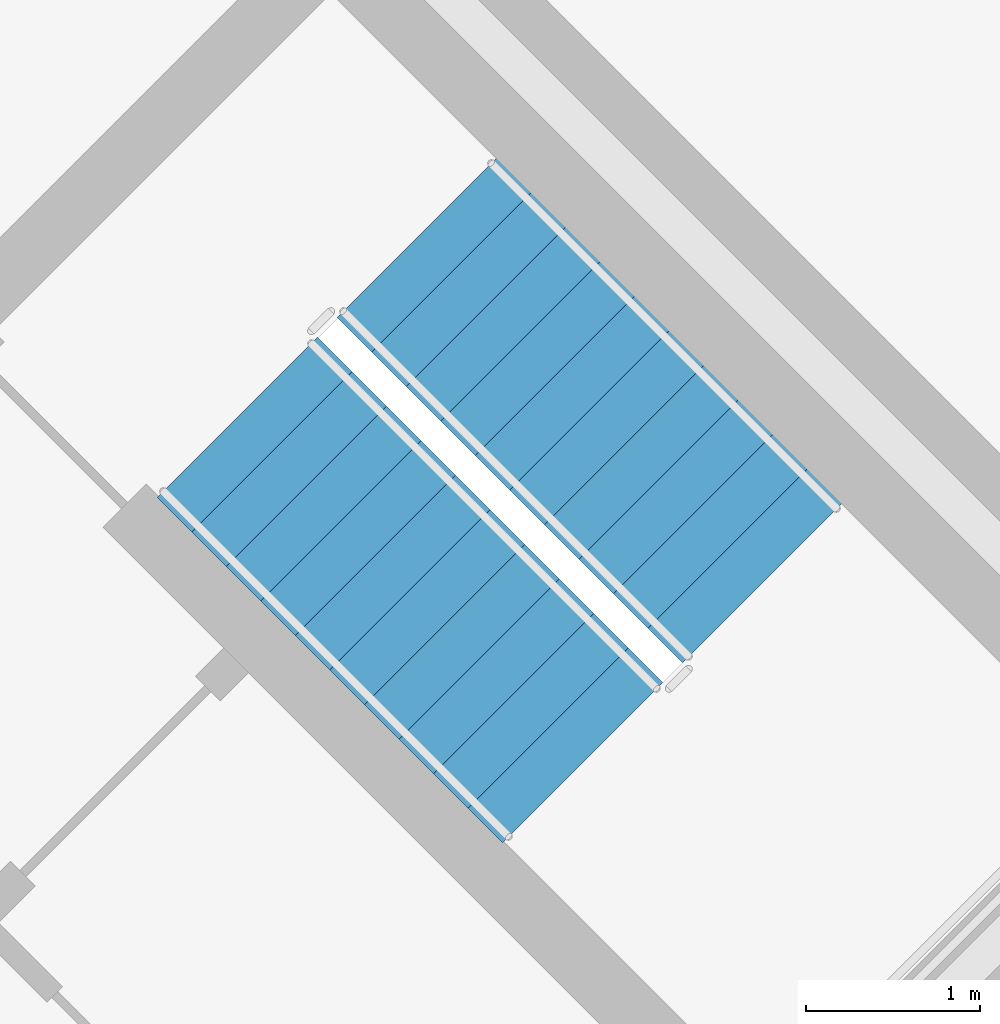
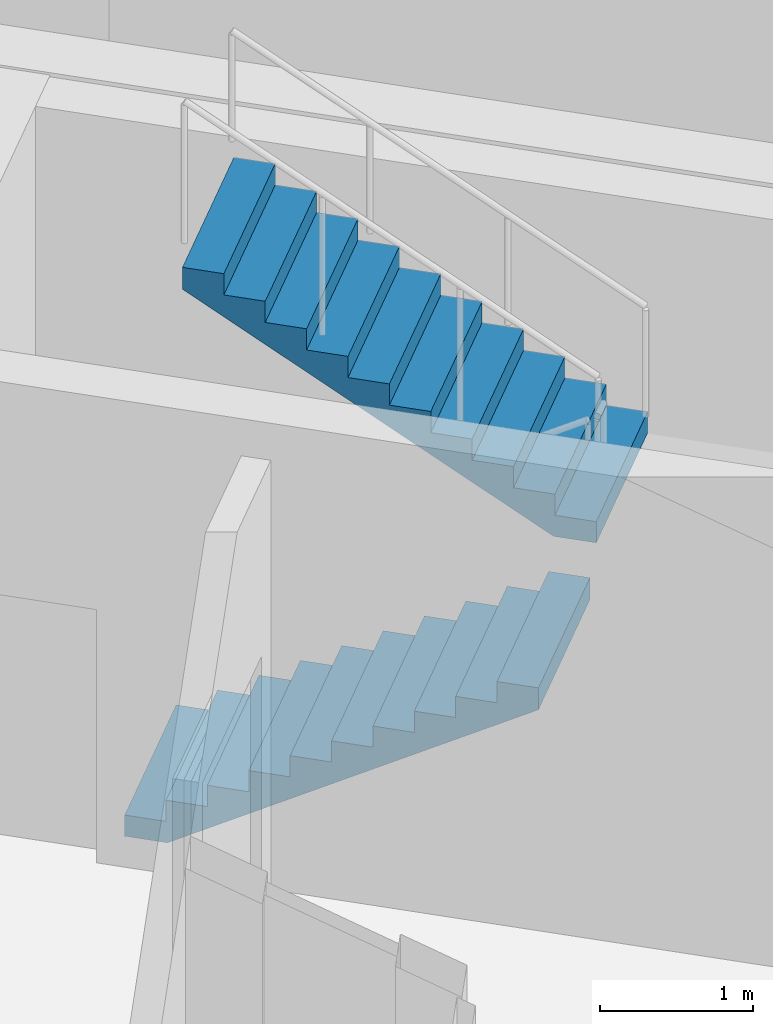
# One storey, part 15 of 17: 2 stair flights, 1 element without a shape of its own.
"""IFC4 building model written with IfcOpenShell, lengths in metres."""

from ifc_helpers import new_model, si_unit, direction, frame, origin, place, context, subcontext, project, spatial, polyline, outline, extrude, material, type_object, element, aggregate, save


model = new_model("IFC4")

# Units and contexts
model_context = context("Model", 3, precision=1e-05, world=origin(), true_north=direction((0.0, 1.0)))
body_context = subcontext(model_context, "Body", "Model", "MODEL_VIEW")
ifc_project = project(units=[si_unit("LENGTHUNIT", "METRE"), si_unit("AREAUNIT", "SQUARE_METRE"), si_unit("VOLUMEUNIT", "CUBIC_METRE"), si_unit("PLANEANGLEUNIT", "RADIAN"), si_unit("MASSUNIT", "GRAM", prefix="KILO")], contexts=[model_context])

# Site, building, storey
site_placement = place(None, origin())
site = spatial("IfcSite", under=ifc_project, at=site_placement, CompositionType="ELEMENT")
building_placement = place(site_placement, origin())
building = spatial("IfcBuilding", under=site, at=building_placement, Name="Cununo Teusaquillo Station Towers", CompositionType="ELEMENT")
storey_placement = place(building_placement, frame((0.0, 0.0, 125.43994140625)))
storey = spatial("IfcBuildingStorey", under=building, at=storey_placement, Name="L40", CompositionType="ELEMENT", Elevation=125.43994140625)

# Stair, stair flights
ifc_material_1 = material(Name="Concrete C50/60", Category="concrete")
stair_type = type_object("IfcStairType", Name="ST-TWR-1300", PredefinedType="HALF_TURN_STAIR", material=ifc_material_1)
stair_placement = place(storey_placement, origin())
stair = element("IfcStair", 1, at=stair_placement, inside=storey, type_object=stair_type, Name="L40 Tower B Protected Core Exit Stair 2", PredefinedType="HALF_TURN_STAIR")
ifc_material_2 = material(Name="Concrete C50/60", Category="concrete")
stair_flight_type = type_object("IfcStairFlightType", Name="SFL-TWR-1300", PredefinedType="STRAIGHT", material=ifc_material_2)
stair_flight_1_placement = place(storey_placement, frame((60.54052734375, 25.1787109375, 0.0), z_axis=(0.0, 0.0, 1.0), x_axis=(0.707106781187, -0.707106781187, 0.0)))
stair_flight_1 = element("IfcStairFlight", 2, at=stair_flight_1_placement, type_object=stair_flight_type, Name="ST-T2-2 flight 1", NumberOfRisers=11, NumberOfTreads=10, PredefinedType="STRAIGHT", RiserHeight=0.169090909, TreadLength=0.28, context=body_context, shape_type="SweptSolid", body=[
    extrude(outline(polyline([(0.0, 0.0), (0.0, 0.169189453125), (0.280029296875, 0.169189453125), (0.280029296875, 0.338134765625), (0.56005859375, 0.338134765625), (0.56005859375, 0.50732421875), (0.840087890625, 0.50732421875), (0.840087890625, 0.67626953125), (1.1201171875, 0.67626953125), (1.1201171875, 0.845458984375), (1.39990234375, 0.845458984375), (1.39990234375, 1.0146484375), (1.679931640625, 1.0146484375), (1.679931640625, 1.18359375), (1.9599609375, 1.18359375), (1.9599609375, 1.352783203125), (2.239990234375, 1.352783203125), (2.239990234375, 1.521728515625), (2.52001953125, 1.521728515625), (2.52001953125, 1.69091796875), (2.800048828125, 1.69091796875), (2.800048828125, 1.860107421875), (2.800048828125, 1.515869140625), (0.2900390625, 0.0), (0.0, 0.0)])), frame((0.0, 0.64990234375, 0.0), z_axis=(0.0, -1.0, 0.0), x_axis=(1.0, 0.0, 0.0)), (0.0, 0.0, 1.0), 1.300048828125),
])
stair_flight_2_placement = place(storey_placement, frame((63.552734375, 24.231201171875, 1.860107421875), z_axis=(0.0, 0.0, 1.0), x_axis=(-0.707106781187, 0.707106781187, 0.0)))
stair_flight_2 = element("IfcStairFlight", 3, at=stair_flight_2_placement, type_object=stair_flight_type, Name="ST-T2-2 flight 2", NumberOfRisers=11, NumberOfTreads=10, PredefinedType="STRAIGHT", RiserHeight=0.169090909, TreadLength=0.28, context=body_context, shape_type="SweptSolid", body=[
    extrude(outline(polyline([(0.0, 0.0), (0.0, 0.169189453125), (0.280029296875, 0.169189453125), (0.280029296875, 0.338134765625), (0.56005859375, 0.338134765625), (0.56005859375, 0.50732421875), (0.840087890625, 0.50732421875), (0.840087890625, 0.67626953125), (1.1201171875, 0.67626953125), (1.1201171875, 0.845458984375), (1.39990234375, 0.845458984375), (1.39990234375, 1.0146484375), (1.679931640625, 1.0146484375), (1.679931640625, 1.18359375), (1.9599609375, 1.18359375), (1.9599609375, 1.352783203125), (2.239990234375, 1.352783203125), (2.239990234375, 1.521728515625), (2.52001953125, 1.521728515625), (2.52001953125, 1.69091796875), (2.800048828125, 1.69091796875), (2.800048828125, 1.860107421875), (2.800048828125, 1.515869140625), (0.2900390625, 0.0), (0.0, 0.0)])), frame((0.0, 0.64990234375, 0.0), z_axis=(0.0, -1.0, 0.0), x_axis=(1.0, 0.0, 0.0)), (0.0, 0.0, 1.0), 1.300048828125),
])
aggregate(stair, [stair_flight_1, stair_flight_2])

save(model, "model.ifc")
